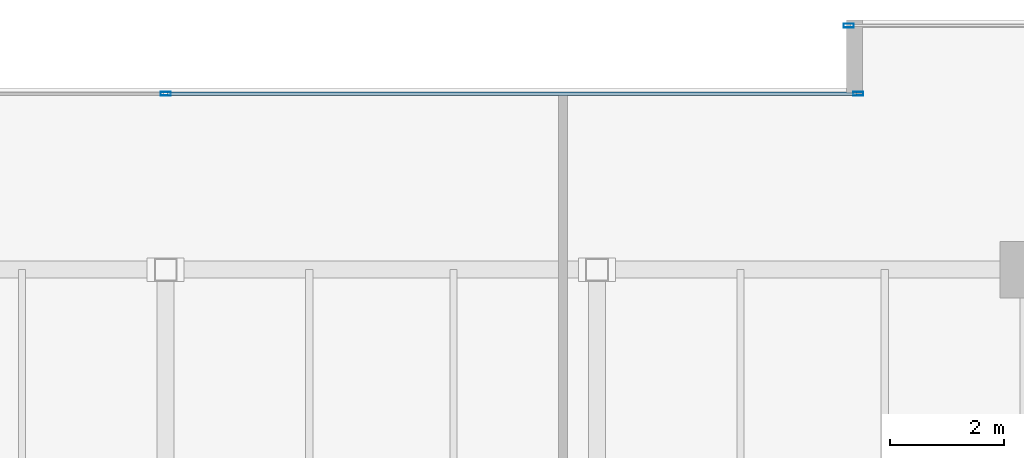
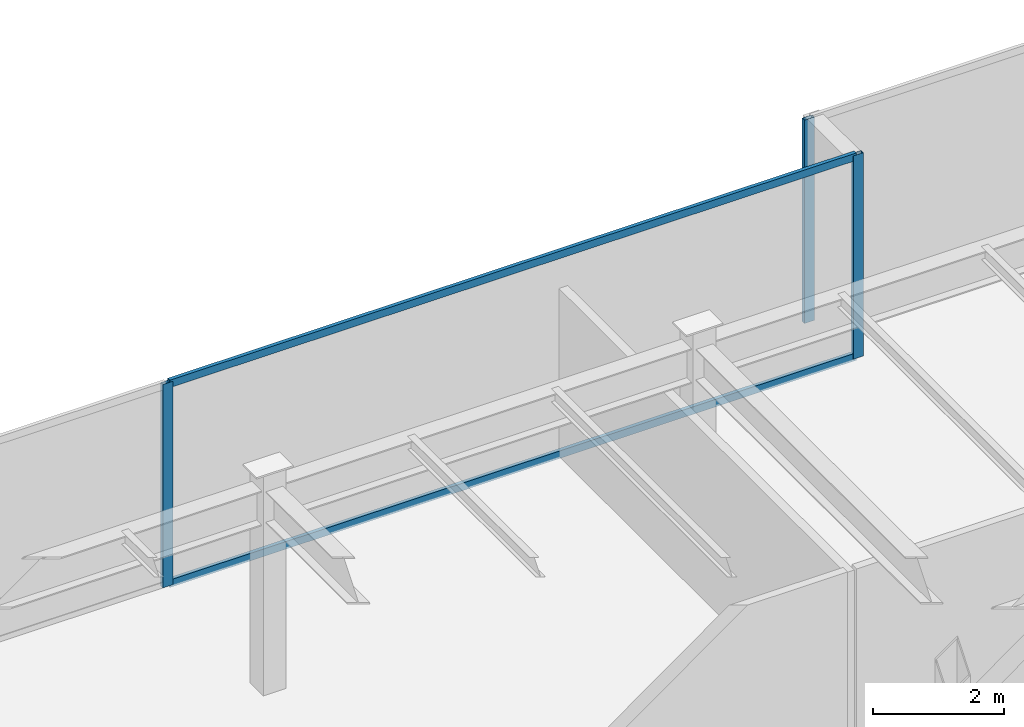
# One storey, part 19 of 33: 5 members, 2 elements without a shape of their own.
"""IFC4 building model written with IfcOpenShell, lengths in metres."""

from ifc_helpers import new_model, si_unit, direction, frame, origin, origin_2d, place, context, subcontext, project, spatial, hollow_rectangle, extrude, source, transform, mapped, material, layer, layer_set, material_profile, profile_set, type_object, type_shapes, element, aggregate, save


model = new_model("IFC4")

# Units and contexts
model_context = context("Model", 3, precision=1e-05, world=origin(), true_north=direction((0.0, 1.0)))
body_context = subcontext(model_context, "Body", "Model", "MODEL_VIEW")
ifc_project = project(units=[si_unit("LENGTHUNIT", "METRE"), si_unit("AREAUNIT", "SQUARE_METRE"), si_unit("VOLUMEUNIT", "CUBIC_METRE"), si_unit("PLANEANGLEUNIT", "RADIAN"), si_unit("MASSUNIT", "GRAM", prefix="KILO")], contexts=[model_context])

# Site, building, storey
site_placement = place(None, origin())
site = spatial("IfcSite", under=ifc_project, at=site_placement, CompositionType="ELEMENT")
building_placement = place(site_placement, origin())
building = spatial("IfcBuilding", under=site, at=building_placement, Name="Haelvirn Gate Laboratories", CompositionType="ELEMENT")
storey_placement = place(building_placement, frame((0.0, 0.0, 287.5)))
storey = spatial("IfcBuildingStorey", under=building, at=storey_placement, Name="L69", CompositionType="ELEMENT", Elevation=287.5)

# Curtain wall, members
ifc_material_1 = material(Name="Anodised bronze unitised aluminium & triple low-E glass", Category="aluminium")
ifc_layer = layer(ifc_material_1, 0.176025390625, Name="CW-SYS-4")
ifc_layer_set = layer_set([ifc_layer], Name="Anodised bronze unitised aluminium & triple low-E glass")
curtain_wall_type = type_object("IfcCurtainWallType", Name="CW-SYS-4", PredefinedType="NOTDEFINED", material=ifc_layer_set)
curtain_wall_1_placement = place(storey_placement, origin())
curtain_wall_1 = element("IfcCurtainWall", 1, at=curtain_wall_1_placement, inside=storey, type_object=curtain_wall_type, Name="L69 Unitised Curtain Wall CW-L69-P0-E12-1", PredefinedType="NOTDEFINED")
ifc_material_2 = material(Name="Extruded aluminium 6063-T6 (anodised bronze)", Category="aluminium")
ifc_material_profile_1 = material_profile(ifc_material_2, hollow_rectangle(XDim=0.06494140625, YDim=0.139892578125, WallThickness=0.00390625, at=origin_2d()), Name="CWT-140x65x4")
ifc_profile_set_1 = profile_set([ifc_material_profile_1], Name="Extruded aluminium 6063-T6 (anodised bronze)")
member_type_1 = type_object("IfcMemberType", Name="CWT-T140", PredefinedType="USERDEFINED", material=ifc_profile_set_1)
shared_shape_1 = source(origin(), body_context, "Body", "SweptSolid", [
    extrude(hollow_rectangle(XDim=0.06494140625, YDim=0.139892578125, WallThickness=0.00390625, at=origin_2d()), origin(), (0.0, 0.0, 1.0), 12.135009765625),
])
type_shapes(member_type_1, [shared_shape_1])
member_1_placement = place(storey_placement, frame((37.43505859375, 44.699951171875, 0.032470703125), z_axis=(1.0, 0.0, 0.0), x_axis=(0.0, 1.0, 0.0)))
member_1 = element("IfcMember", 2, at=member_1_placement, type_object=member_type_1, Name="CW4 transom 2.1", ObjectType="TRANSOM", PredefinedType="USERDEFINED", context=body_context, shape_type="MappedRepresentation", body=[
    mapped(shared_shape_1, transform((0.0, 0.0, 0.0), scale=1.0)),
])
member_2_placement = place(storey_placement, frame((37.43505859375, 44.699951171875, 3.767578125), z_axis=(1.0, 0.0, 0.0), x_axis=(0.0, 1.0, 0.0)))
member_2 = element("IfcMember", 3, at=member_2_placement, type_object=member_type_1, Name="CW4 transom 2.2", ObjectType="TRANSOM", PredefinedType="USERDEFINED", context=body_context, shape_type="MappedRepresentation", body=[
    mapped(shared_shape_1, transform((0.0, 0.0, 0.0), scale=1.0)),
])

# Curtain wall, member
curtain_wall_2_placement = place(storey_placement, origin())
curtain_wall_2 = element("IfcCurtainWall", 4, at=curtain_wall_2_placement, inside=storey, type_object=curtain_wall_type, Name="L69 Unitised Curtain Wall CW-L69-P0-E10-1", PredefinedType="NOTDEFINED")
ifc_material_profile_2 = material_profile(ifc_material_2, hollow_rectangle(XDim=0.070068359375, YDim=0.179931640625, WallThickness=0.0048828125, at=origin_2d()), Name="CWM-180x70x5")
ifc_profile_set_2 = profile_set([ifc_material_profile_2], Name="Extruded aluminium 6063-T6 (anodised bronze)")
member_type_2 = type_object("IfcMemberType", Name="CWM-T180", PredefinedType="MULLION", material=ifc_profile_set_2)
shared_shape_2 = source(origin(), body_context, "Body", "SweptSolid", [
    extrude(hollow_rectangle(XDim=0.070068359375, YDim=0.179931640625, WallThickness=0.0048828125, at=origin_2d()), origin(), (0.0, 0.0, 1.0), 3.800048828125),
])
type_shapes(member_type_2, [shared_shape_2])
member_3_placement = place(storey_placement, frame((49.43505859375, 45.89990234375, 0.0), z_axis=(0.0, 0.0, 1.0), x_axis=(0.0, 1.0, 0.0)))
member_3 = element("IfcMember", 5, at=member_3_placement, type_object=member_type_2, Name="CW4 mullion 1", PredefinedType="MULLION", context=body_context, shape_type="MappedRepresentation", body=[
    mapped(shared_shape_2, transform((0.0, 0.0, 0.0), scale=1.0)),
])
aggregate(curtain_wall_2, [member_3])

# Member
member_4_placement = place(storey_placement, frame((37.39990234375, 44.699951171875, 0.0), z_axis=(0.0, 0.0, 1.0), x_axis=(0.0, 1.0, 0.0)))
member_4 = element("IfcMember", 6, at=member_4_placement, type_object=member_type_2, Name="CW4 mullion 2", PredefinedType="MULLION", context=body_context, shape_type="MappedRepresentation", body=[
    mapped(shared_shape_2, transform((0.0, 0.0, 0.0), scale=1.0)),
])

member_5_placement = place(storey_placement, frame((49.60498046875, 44.699951171875, 0.0), z_axis=(0.0, 0.0, 1.0), x_axis=(0.0, 1.0, 0.0)))
member_5 = element("IfcMember", 7, at=member_5_placement, type_object=member_type_2, Name="CW4 mullion 3", PredefinedType="MULLION", context=body_context, shape_type="MappedRepresentation", body=[
    mapped(shared_shape_2, transform((0.0, 0.0, 0.0), scale=1.0)),
])

aggregate(curtain_wall_1, [member_4, member_5, member_1, member_2])

save(model, "model.ifc")
